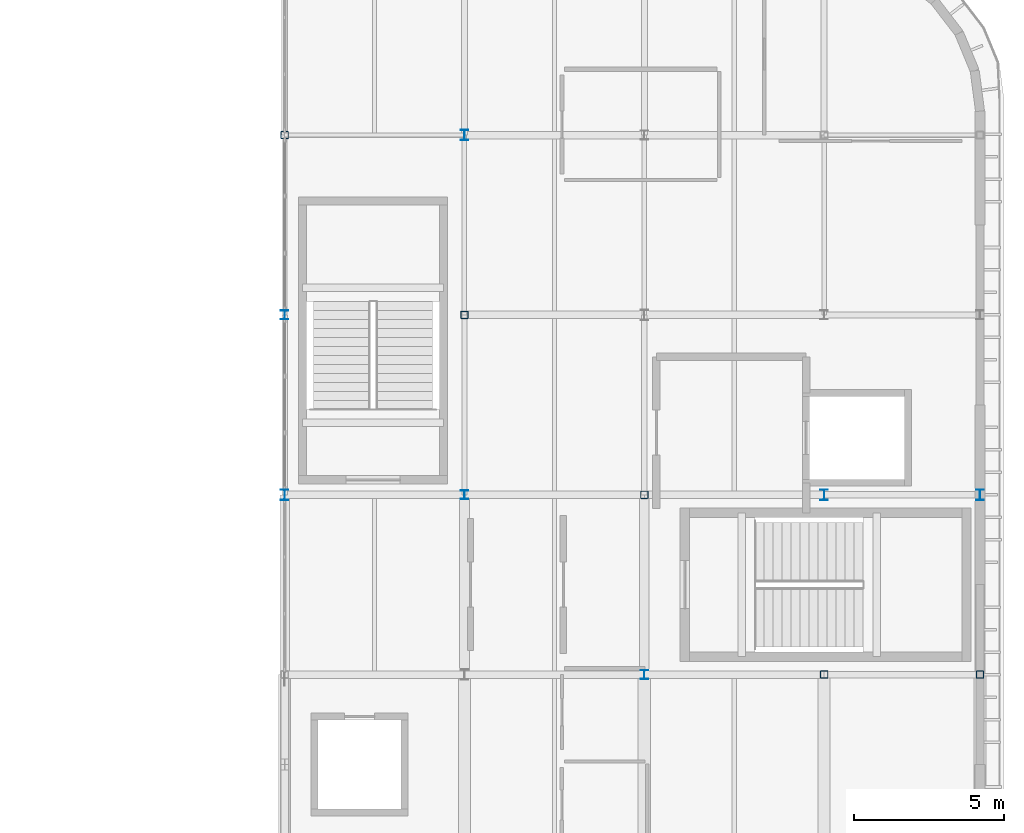
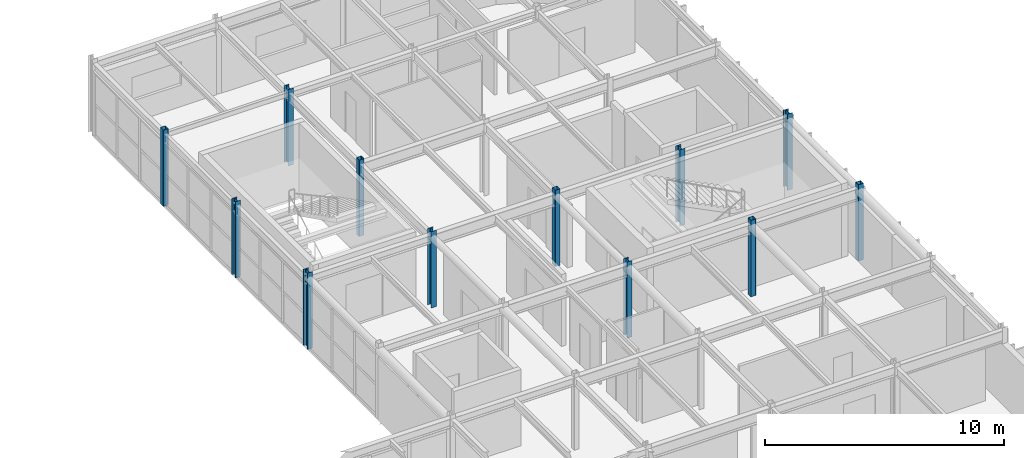
# One storey, part 7 of 63: 12 columns.
"""IFC4 building model written with IfcOpenShell, lengths in metres."""

import ifcopenshell
import ifcopenshell.guid

model = None  # the IFC model being written
_history = None  # IfcOwnerHistory: only IFC2X3 demands one
_inside = {}  # id of a spatial element -> (the spatial element, [elements in it])
_under = {}  # id of a project, library or spatial element -> (it, [spatial elements below it])
_declared = {}  # id of a project -> (the project, [libraries it declares])
_typed = {}  # id of a type object -> (the type object, [elements of that type])
_made_of = {}  # id of a material, layer set ... -> (it, [elements and type objects made of it])


def new_model(schema):
    """Start an empty IFC model of exactly this schema.

    Asked for "IFC4X3", IfcOpenShell would pick the latest addendum, in which some entities
    have other attributes; the version numbers below select the first issue.
    IFC2X3 requires an IfcOwnerHistory on every rooted entity: one is made here for all.
    """
    global model, _history
    if schema == "IFC4X3":
        model = ifcopenshell.file(schema_version=(4, 3, 0, 0))
    else:
        model = ifcopenshell.file(schema=schema)
    _inside.clear()
    _under.clear()
    _declared.clear()
    _typed.clear()
    _made_of.clear()
    _history = None
    if model.schema == "IFC2X3":
        org = make("IfcOrganization", Name="unknown")
        user = make(
            "IfcPersonAndOrganization",
            ThePerson=make("IfcPerson", FamilyName="unknown"),
            TheOrganization=org,
        )
        app = make(
            "IfcApplication",
            ApplicationDeveloper=org,
            Version="unknown",
            ApplicationFullName="unknown",
            ApplicationIdentifier="unknown",
        )
        _history = make(
            "IfcOwnerHistory",
            OwningUser=user,
            OwningApplication=app,
            ChangeAction="ADDED",
            CreationDate=0,
        )
    return model


def make(cls, **values):
    """One entity of the class cls with the attributes given. An attribute that is None is left unset."""
    return model.create_entity(
        cls, **{name: value for name, value in values.items() if value is not None}
    )


def rooted(cls, **values):
    """An entity with a GlobalId (a new one), such as an element, a storey or a relation."""
    return make(cls, GlobalId=ifcopenshell.guid.new(), OwnerHistory=_history, **values)


def si_unit(unit_type, name, prefix=None):
    """IfcSIUnit, for example si_unit("LENGTHUNIT", "METRE", prefix="MILLI")."""
    return make("IfcSIUnit", UnitType=unit_type, Prefix=prefix, Name=name)


def assignment(units):
    """IfcUnitAssignment: the units of a project."""
    return None if units is None else make("IfcUnitAssignment", Units=units)


def point(xyz):
    """IfcCartesianPoint."""
    return None if xyz is None else make("IfcCartesianPoint", Coordinates=xyz)


def direction(xyz):
    """IfcDirection."""
    return None if xyz is None else make("IfcDirection", DirectionRatios=xyz)


def frame(location, z_axis=None, x_axis=None):
    """IfcAxis2Placement3D, a coordinate frame: its origin and axes. An axis left out is left unset."""
    return make(
        "IfcAxis2Placement3D",
        Location=point(location),
        Axis=direction(z_axis),
        RefDirection=direction(x_axis),
    )


def frame_2d(location, x_axis=None):
    """IfcAxis2Placement2D, a coordinate frame in the plane: its origin and x axis."""
    return make(
        "IfcAxis2Placement2D", Location=point(location), RefDirection=direction(x_axis)
    )


def origin():
    """The frame at (0, 0, 0) with its axes left unset."""
    return frame((0.0, 0.0, 0.0))


def origin_2d():
    """The frame at (0, 0) in the plane with its x axis left unset."""
    return frame_2d((0.0, 0.0))


def place(relative_to, where):
    """IfcLocalPlacement: puts the frame where relative to a parent placement (None: the world)."""
    return make(
        "IfcLocalPlacement", PlacementRelTo=relative_to, RelativePlacement=where
    )


def context(
    kind, dimensions, precision=None, world=None, true_north=None, identifier=None
):
    """IfcGeometricRepresentationContext, for example the 3D "Model" context."""
    return make(
        "IfcGeometricRepresentationContext",
        ContextIdentifier=identifier,
        ContextType=kind,
        CoordinateSpaceDimension=dimensions,
        Precision=precision,
        WorldCoordinateSystem=world,
        TrueNorth=true_north,
    )


def subcontext(parent, identifier, kind, view, scale=None):
    """IfcGeometricRepresentationSubContext, for example "Body" below "Model"."""
    return make(
        "IfcGeometricRepresentationSubContext",
        ContextIdentifier=identifier,
        ContextType=kind,
        ParentContext=parent,
        TargetScale=scale,
        TargetView=view,
    )


def project(units=None, contexts=None):
    """IfcProject with its units and contexts."""
    return rooted(
        "IfcProject",
        Name="project",
        RepresentationContexts=contexts,
        UnitsInContext=assignment(units),
    )


def spatial(cls, under=None, at=None, **own):
    """A site, building, storey or space (cls), placed at a placement, below another one or the project."""
    s = rooted(cls, ObjectPlacement=at, **own)
    if under is not None:
        _under.setdefault(under.id(), (under, []))[1].append(s)
    return s


def profile(cls, at=None, kind="AREA", **sizes):
    """A parametric profile (cls). Its sizes go by their IFC names, for example OverallWidth=200.0."""
    return make(cls, ProfileType=kind, Position=at, **sizes)


def hollow_rectangle(**sizes):
    """IfcRectangleHollowProfileDef."""
    return profile("IfcRectangleHollowProfileDef", **sizes)


def i_section(**sizes):
    """IfcIShapeProfileDef."""
    return profile("IfcIShapeProfileDef", **sizes)


def extrude(swept, where, along, depth):
    """IfcExtrudedAreaSolid: the profile swept, set in the frame where, extruded along a direction by depth."""
    return make(
        "IfcExtrudedAreaSolid",
        SweptArea=swept,
        Position=where,
        ExtrudedDirection=direction(along),
        Depth=depth,
    )


def shape(context_of_items, identifier, shape_type, items):
    """IfcShapeRepresentation: the items that make up one representation, for example the "Body"."""
    return make(
        "IfcShapeRepresentation",
        ContextOfItems=context_of_items,
        RepresentationIdentifier=identifier,
        RepresentationType=shape_type,
        Items=items,
    )


def material(Name=None, Category=None):
    """IfcMaterial."""
    return make("IfcMaterial", Name=Name, Category=Category)


def material_profile(
    of_material, cross_section, Name=None, Category=None, Priority=None
):
    """IfcMaterialProfile: a cross section and its material."""
    return make(
        "IfcMaterialProfile",
        Name=Name,
        Material=of_material,
        Profile=cross_section,
        Priority=Priority,
        Category=Category,
    )


def profile_set(profiles, Name=None, composite=None):
    """IfcMaterialProfileSet."""
    return make(
        "IfcMaterialProfileSet",
        Name=Name,
        MaterialProfiles=profiles,
        CompositeProfile=composite,
    )


def made_of(thing, what):
    """Note that an element or type object is made of a material, layer set ...; save() writes the relation."""
    if what is not None:
        _made_of.setdefault(what.id(), (what, []))[1].append(thing)
    return thing


def type_object(cls, material=None, **own):
    """A type object (cls), such as IfcWallType, which elements share."""
    return made_of(rooted(cls, **own), material)


def element(
    cls,
    number,
    at=None,
    inside=None,
    cuts=None,
    type_object=None,
    material=None,
    context=None,
    identifier="Body",
    shape_type=None,
    held_by="IfcProductDefinitionShape",
    body=None,
    shapes=None,
    **own,
):
    """One element of the class cls, such as IfcWall. Its Tag is "e" and its number.

    at: its placement. inside: the storey or other place that contains it. cuts: it is an
    opening in that element (IfcRelVoidsElement). A single representation is given by context,
    identifier, shape_type and body (its items); several are given by shapes. held_by: the class
    of the entity that holds the representations. save() writes the other relations.
    """
    e = rooted(cls, Tag="e%d" % number, ObjectPlacement=at, **own)
    if body is not None:
        shapes = [shape(context, identifier, shape_type, body)]
    if shapes is not None:
        e.Representation = make(held_by, Representations=shapes)
    if inside is not None:
        _inside.setdefault(inside.id(), (inside, []))[1].append(e)
    if cuts is not None:
        rooted(
            "IfcRelVoidsElement", RelatingBuildingElement=cuts, RelatedOpeningElement=e
        )
    if type_object is not None:
        _typed.setdefault(type_object.id(), (type_object, []))[1].append(e)
    return made_of(e, material)


def aggregate(whole, parts):
    """IfcRelAggregates: a whole, such as a stair, and the parts it consists of."""
    return rooted("IfcRelAggregates", RelatingObject=whole, RelatedObjects=parts)


def save(model, path):
    """Write the relations noted so far, then the file.

    IfcRelAggregates (storeys below a building ...), IfcRelContainedInSpatialStructure (elements
    in a storey), IfcRelDefinesByType, IfcRelAssociatesMaterial and IfcRelDeclares: one each for
    every whole, place, type object, material and project.
    """
    for whole, parts in _under.values():
        aggregate(whole, parts)
    for where, things in _inside.values():
        rooted(
            "IfcRelContainedInSpatialStructure",
            RelatedElements=things,
            RelatingStructure=where,
        )
    for kind, things in _typed.values():
        rooted("IfcRelDefinesByType", RelatedObjects=things, RelatingType=kind)
    for what, things in _made_of.values():
        rooted("IfcRelAssociatesMaterial", RelatedObjects=things, RelatingMaterial=what)
    for by, libraries in _declared.values():
        rooted("IfcRelDeclares", RelatingContext=by, RelatedDefinitions=libraries)
    model.write(path)


model = new_model("IFC4")

# Units and contexts
model_context = context("Model", 3, precision=1e-05, world=origin(), true_north=direction((0.0, 1.0)))
body_context = subcontext(model_context, "Body", "Model", "MODEL_VIEW")
ifc_project = project(units=[si_unit("LENGTHUNIT", "METRE"), si_unit("AREAUNIT", "SQUARE_METRE"), si_unit("VOLUMEUNIT", "CUBIC_METRE"), si_unit("PLANEANGLEUNIT", "RADIAN"), si_unit("MASSUNIT", "GRAM", prefix="KILO")], contexts=[model_context])

# Site, building, storey
site_placement = place(None, origin())
site = spatial("IfcSite", under=ifc_project, at=site_placement, CompositionType="ELEMENT")
building_placement = place(site_placement, origin())
building = spatial("IfcBuilding", under=site, at=building_placement, Name="Varnakota Square Police Headquarters", CompositionType="ELEMENT")
storey_placement = place(building_placement, frame((0.0, 0.0, 22.199951171875)))
storey = spatial("IfcBuildingStorey", under=building, at=storey_placement, Name="L05", CompositionType="ELEMENT", Elevation=22.199951171875)

# Columns
ifc_material = material(Name="Steel IS 2062 Grade 350", Category="steel")
ifc_material_profile_1 = material_profile(ifc_material, i_section(OverallWidth=0.25, OverallDepth=0.300048828125, WebThickness=0.009521484375, FlangeThickness=0.010498046875, FilletRadius=0.011962890625, at=origin_2d()), Name="ISHB 300")
ifc_profile_set_1 = profile_set([ifc_material_profile_1], Name="Steel IS 2062 Grade 350")
column_type_1 = type_object("IfcColumnType", Name="COL-ISHB300", PredefinedType="COLUMN", material=ifc_profile_set_1)
for number, where, z_axis, x_axis, name in (
    (1, (138.0, 33.0, 0.0), (0.0, 0.0, 1.0), (1.0, 0.0, 0.0), "Column X1380-Y0330 L05"),
    (2, (144.0, 27.0, 0.0), (0.0, 0.0, 1.0), (1.0, 0.0, 0.0), "Column X1440-Y0270 L05"),
    (3, (150.0, 21.0, 0.0), (0.0, 0.0, 1.0), (1.0, 0.0, 0.0), "Column X1500-Y0210 L05"),
):
    element("IfcColumn", number, at=place(storey_placement, frame(where, z_axis=z_axis, x_axis=x_axis)), inside=storey, type_object=column_type_1, Name=name, PredefinedType="COLUMN", context=body_context, shape_type="SweptSolid", body=[
        extrude(i_section(OverallWidth=0.25, OverallDepth=0.300048828125, WebThickness=0.009521484375, FlangeThickness=0.010498046875, FilletRadius=0.011962890625, at=origin_2d()), origin(), (0.0, 0.0, 1.0), 3.900146484375),
    ])
ifc_material_profile_2 = material_profile(ifc_material, i_section(OverallWidth=0.25, OverallDepth=0.35009765625, WebThickness=0.010009765625, FlangeThickness=0.01171875, FilletRadius=0.011962890625, at=origin_2d()), Name="ISHB 350")
ifc_profile_set_2 = profile_set([ifc_material_profile_2], Name="Steel IS 2062 Grade 350")
column_type_2 = type_object("IfcColumnType", Name="COL-ISHB350", PredefinedType="COLUMN", material=ifc_profile_set_2)
for number, where, z_axis, x_axis, name in (
    (4, (138.0, 27.0, 0.0), (0.0, 0.0, 1.0), (1.0, 0.0, 0.0), "Column X1380-Y0270 L05"),
    (5, (144.0, 39.0, 0.0), (0.0, 0.0, 1.0), (1.0, 0.0, 0.0), "Column X1440-Y0390 L05"),
    (6, (156.0, 27.0, 0.0), (0.0, 0.0, 1.0), (1.0, 0.0, 0.0), "Column X1560-Y0270 L05"),
    (7, (161.199951171875, 27.0, 0.0), (0.0, 0.0, 1.0), (1.0, 0.0, 0.0), "Column X1612-Y0270 L05"),
):
    element("IfcColumn", number, at=place(storey_placement, frame(where, z_axis=z_axis, x_axis=x_axis)), inside=storey, type_object=column_type_2, Name=name, PredefinedType="COLUMN", context=body_context, shape_type="SweptSolid", body=[
        extrude(i_section(OverallWidth=0.25, OverallDepth=0.35009765625, WebThickness=0.010009765625, FlangeThickness=0.01171875, FilletRadius=0.011962890625, at=origin_2d()), origin(), (0.0, 0.0, 1.0), 3.900146484375),
    ])
ifc_material_profile_3 = material_profile(ifc_material, hollow_rectangle(XDim=0.25, YDim=0.25, WallThickness=0.011962890625, InnerFilletRadius=0.011962890625, OuterFilletRadius=0.02392578125, at=origin_2d()), Name="SHS 250x250x12")
ifc_profile_set_3 = profile_set([ifc_material_profile_3], Name="Steel IS 2062 Grade 350")
column_type_3 = type_object("IfcColumnType", Name="COL-SHS250", PredefinedType="COLUMN", material=ifc_profile_set_3)
for number, where, z_axis, x_axis, name in (
    (8, (138.0, 39.0, 0.0), (0.0, 0.0, 1.0), (1.0, 0.0, 0.0), "Column X1380-Y0390 L05"),
    (9, (144.0, 33.0, 0.0), (0.0, 0.0, 1.0), (1.0, 0.0, 0.0), "Column X1440-Y0330 L05"),
    (10, (150.0, 27.0, 0.0), (0.0, 0.0, 1.0), (1.0, 0.0, 0.0), "Column X1500-Y0270 L05"),
    (11, (156.0, 21.0, 0.0), (0.0, 0.0, 1.0), (1.0, 0.0, 0.0), "Column X1560-Y0210 L05"),
    (12, (161.199951171875, 21.0, 0.0), (0.0, 0.0, 1.0), (1.0, 0.0, 0.0), "Column X1612-Y0210 L05"),
):
    element("IfcColumn", number, at=place(storey_placement, frame(where, z_axis=z_axis, x_axis=x_axis)), inside=storey, type_object=column_type_3, Name=name, PredefinedType="COLUMN", context=body_context, shape_type="SweptSolid", body=[
        extrude(hollow_rectangle(XDim=0.25, YDim=0.25, WallThickness=0.011962890625, InnerFilletRadius=0.011962890625, OuterFilletRadius=0.02392578125, at=origin_2d()), origin(), (0.0, 0.0, 1.0), 3.900146484375),
    ])

save(model, "model.ifc")
